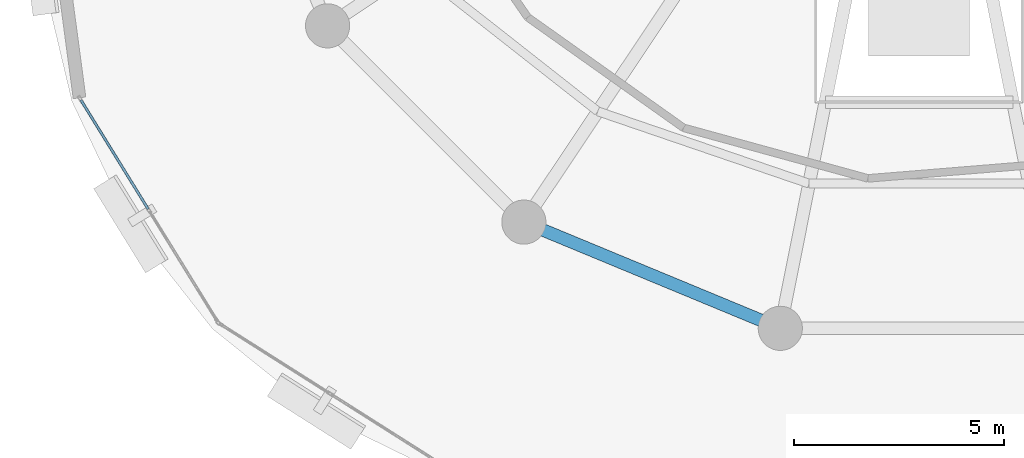
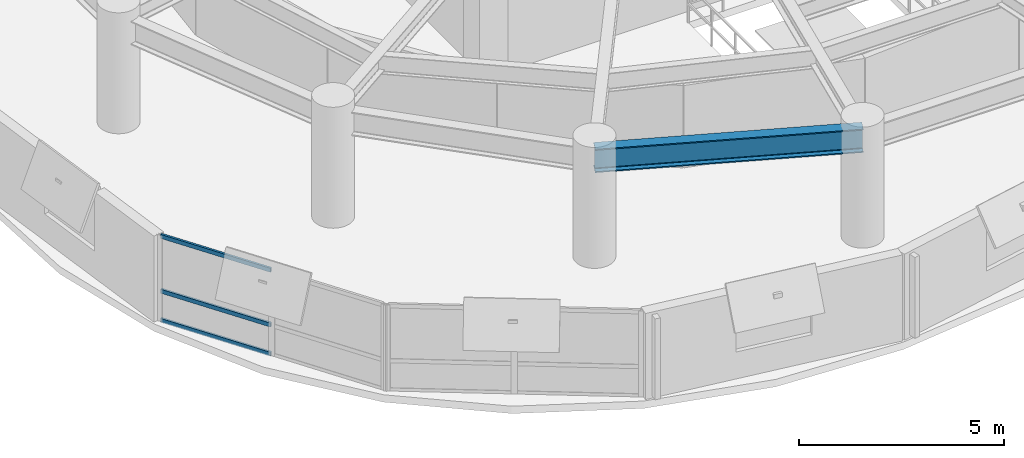
# One storey, part 3 of 12: 3 members, 1 beam, 1 element without a shape of its own.
"""IFC4 building model written with IfcOpenShell, lengths in metres."""

from ifc_helpers import new_model, si_unit, direction, frame, origin, origin_2d, place, context, subcontext, project, spatial, hollow_rectangle, i_section, extrude, material, layer, layer_set, material_profile, profile_set, type_object, element, aggregate, save


model = new_model("IFC4")

# Units and contexts
model_context = context("Model", 3, precision=1e-05, world=origin(), true_north=direction((0.0, 1.0)))
body_context = subcontext(model_context, "Body", "Model", "MODEL_VIEW")
ifc_project = project(units=[si_unit("LENGTHUNIT", "METRE"), si_unit("AREAUNIT", "SQUARE_METRE"), si_unit("VOLUMEUNIT", "CUBIC_METRE"), si_unit("PLANEANGLEUNIT", "RADIAN"), si_unit("MASSUNIT", "GRAM", prefix="KILO"), si_unit("THERMODYNAMICTEMPERATUREUNIT", "KELVIN"), si_unit("POWERUNIT", "WATT")], contexts=[model_context])

# Site, building, storey
site_placement = place(None, origin())
site = spatial("IfcSite", under=ifc_project, at=site_placement, CompositionType="ELEMENT")
building_placement = place(site_placement, origin())
building = spatial("IfcBuilding", under=site, at=building_placement, Name="Ocrelia Relay Tower", CompositionType="ELEMENT")
storey_placement = place(building_placement, frame((0.0, 0.0, 216.800048828125)))
storey = spatial("IfcBuildingStorey", under=building, at=storey_placement, Name="L53", CompositionType="ELEMENT", Elevation=216.800048828125)

# Beam
ifc_material_1 = material(Name="Steel S355", Category="steel")
ifc_material_profile_1 = material_profile(ifc_material_1, i_section(OverallWidth=0.300048828125, OverallDepth=0.699951171875, WebThickness=0.01708984375, FlangeThickness=0.031982421875, FilletRadius=0.027099609375, at=origin_2d()), Name="HEB 700")
ifc_profile_set_1 = profile_set([ifc_material_profile_1], Name="Steel S355")
beam_type = type_object("IfcBeamType", Name="BM-HEB700", PredefinedType="BEAM", material=ifc_profile_set_1)
beam_placement = place(storey_placement, frame((24.61083984375, 11.9482421875, 2.929931640625), z_axis=(0.923877844151, -0.382687508402, 0.0), x_axis=(0.382687508402, 0.923877844151, 0.0)))
element("IfcBeam", 1, at=beam_placement, inside=storey, type_object=beam_type, Name="L53 Perimeter Spandrel Beam S11", PredefinedType="BEAM", context=body_context, shape_type="SweptSolid", body=[
    extrude(i_section(OverallWidth=0.300048828125, OverallDepth=0.699951171875, WebThickness=0.01708984375, FlangeThickness=0.031982421875, FilletRadius=0.027099609375, at=origin_2d()), origin(), (0.0, 0.0, 1.0), 6.593994140625),
])

# Curtain wall, members
ifc_material_2 = material(Name="Aluminium and solar-control low-E glass", Category="aluminium")
ifc_layer = layer(ifc_material_2, 0.179931640625, Name="Aluminium and solar-control low-E glass")
ifc_layer_set = layer_set([ifc_layer], Name="Aluminium and solar-control low-E glass")
curtain_wall_type = type_object("IfcCurtainWallType", Name="CW-SYS-Z3-CLOU", PredefinedType="NOTDEFINED", material=ifc_layer_set)
curtain_wall_placement = place(storey_placement, origin())
curtain_wall = element("IfcCurtainWall", 2, at=curtain_wall_placement, inside=storey, type_object=curtain_wall_type, Name="L53 Elliptical Tower Curtain Wall Bay 09", PredefinedType="NOTDEFINED")
ifc_material_3 = material(Name="Anodised bronze aluminium", Category="aluminium")
ifc_material_profile_2 = material_profile(ifc_material_3, hollow_rectangle(XDim=0.06005859375, YDim=0.1201171875, WallThickness=0.0048828125, at=origin_2d()), Name="CW-TRN-120x60")
ifc_profile_set_2 = profile_set([ifc_material_profile_2], Name="Anodised bronze aluminium")
member_type = type_object("IfcMemberType", Name="CW-SYS-Z3-CLOU-TRN", PredefinedType="USERDEFINED", material=ifc_profile_set_2)
member_1_placement = place(storey_placement, frame((14.088623046875, 14.846923828125, 0.030029296875), z_axis=(0.524978773611, -0.8511153196, 0.0), x_axis=(0.8511153196, 0.524978773611, 0.0)))
member_1 = element("IfcMember", 3, at=member_1_placement, type_object=member_type, Name="CW-Z3 transom 1.1", ObjectType="TRANSOM", PredefinedType="USERDEFINED", context=body_context, shape_type="SweptSolid", body=[
    extrude(hollow_rectangle(XDim=0.06005859375, YDim=0.1201171875, WallThickness=0.0048828125, at=origin_2d()), origin(), (0.0, 0.0, 1.0), 3.043701171875),
])
member_2_placement = place(storey_placement, frame((14.088623046875, 14.846923828125, 0.89990234375), z_axis=(0.524978773611, -0.8511153196, 0.0), x_axis=(0.8511153196, 0.524978773611, 0.0)))
member_2 = element("IfcMember", 4, at=member_2_placement, type_object=member_type, Name="CW-Z3 transom 1.2", ObjectType="TRANSOM", PredefinedType="USERDEFINED", context=body_context, shape_type="SweptSolid", body=[
    extrude(hollow_rectangle(XDim=0.06005859375, YDim=0.1201171875, WallThickness=0.0048828125, at=origin_2d()), origin(), (0.0, 0.0, 1.0), 3.043701171875),
])
member_3_placement = place(storey_placement, frame((14.088623046875, 14.846923828125, 2.530029296875), z_axis=(0.524978773611, -0.8511153196, 0.0), x_axis=(0.8511153196, 0.524978773611, 0.0)))
member_3 = element("IfcMember", 5, at=member_3_placement, type_object=member_type, Name="CW-Z3 transom 1.3", ObjectType="TRANSOM", PredefinedType="USERDEFINED", context=body_context, shape_type="SweptSolid", body=[
    extrude(hollow_rectangle(XDim=0.06005859375, YDim=0.1201171875, WallThickness=0.0048828125, at=origin_2d()), origin(), (0.0, 0.0, 1.0), 3.043701171875),
])
aggregate(curtain_wall, [member_1, member_2, member_3])

save(model, "model.ifc")
